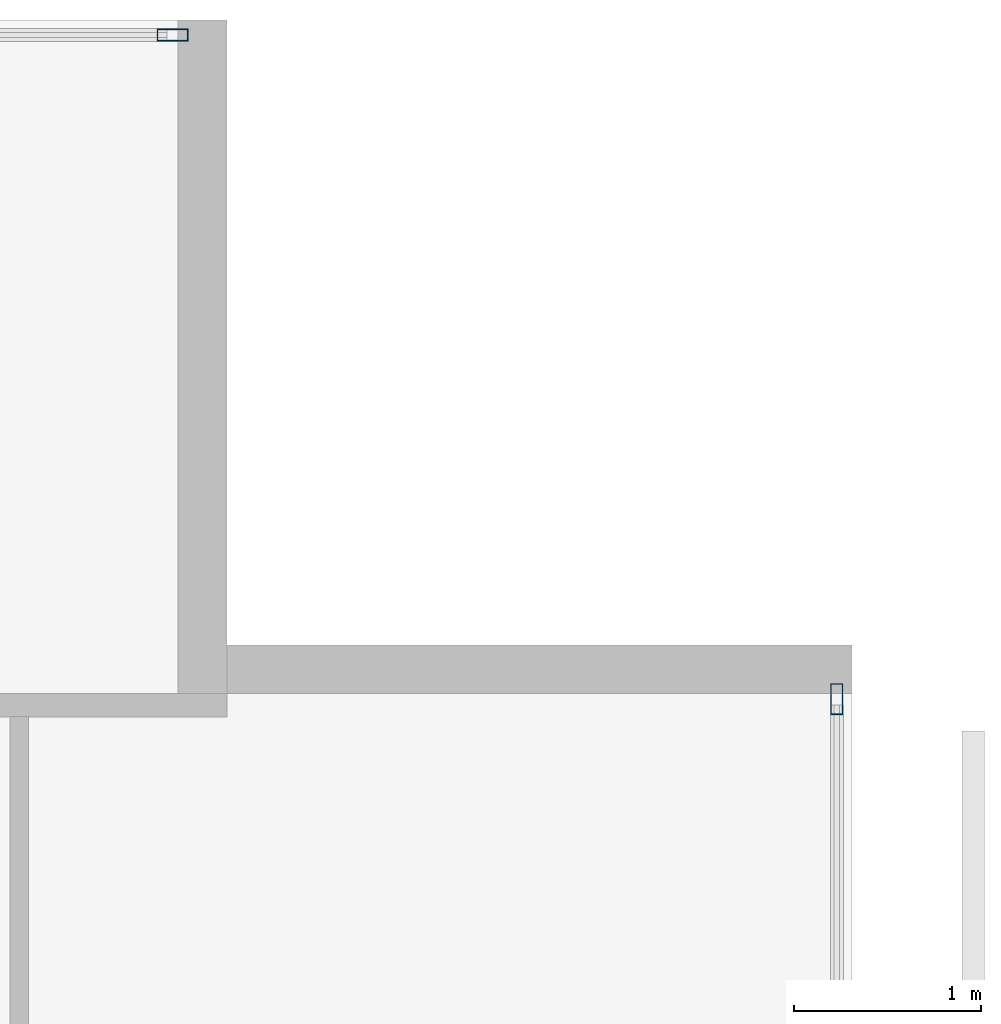
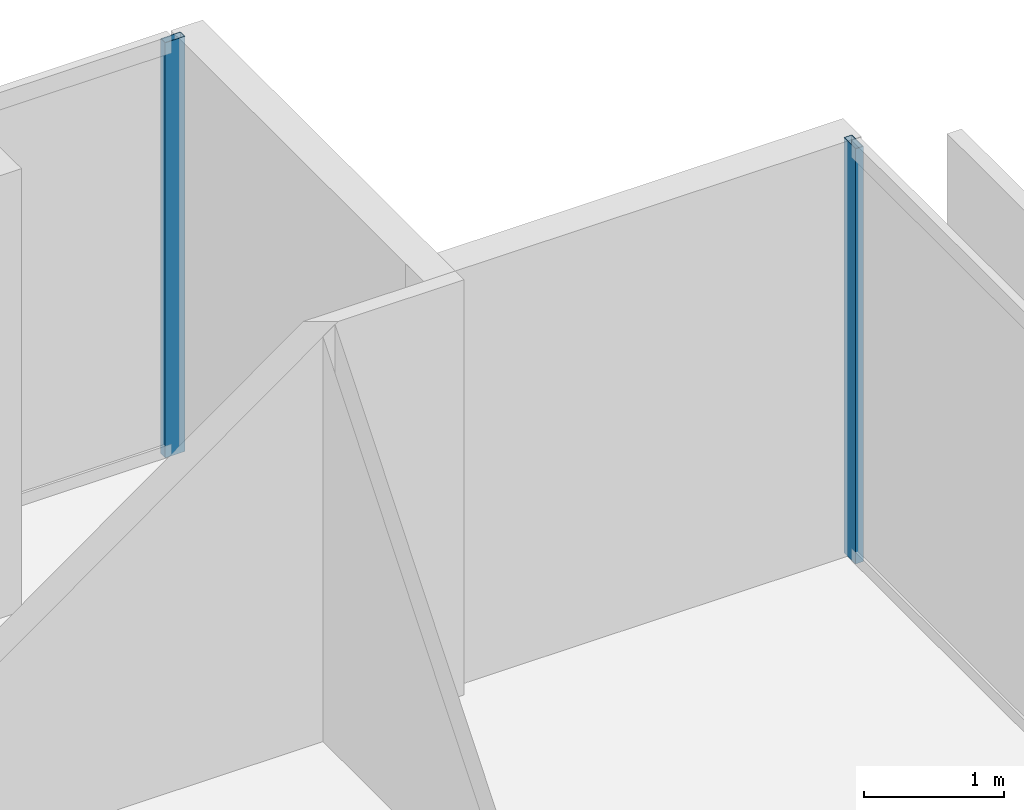
# One storey, part 31 of 40: 2 members, 2 elements without a shape of their own.
"""IFC4 building model written with IfcOpenShell, lengths in metres."""

from ifc_helpers import new_model, si_unit, direction, frame, origin, origin_2d, place, context, subcontext, project, spatial, hollow_rectangle, extrude, material, layer, layer_set, material_profile, profile_set, type_object, element, aggregate, save


model = new_model("IFC4")

# Units and contexts
model_context = context("Model", 3, precision=1e-05, world=origin(), true_north=direction((0.0, 1.0)))
body_context = subcontext(model_context, "Body", "Model", "MODEL_VIEW")
ifc_project = project(units=[si_unit("LENGTHUNIT", "METRE"), si_unit("AREAUNIT", "SQUARE_METRE"), si_unit("VOLUMEUNIT", "CUBIC_METRE"), si_unit("PLANEANGLEUNIT", "RADIAN"), si_unit("MASSUNIT", "GRAM", prefix="KILO")], contexts=[model_context])

# Site, building, storey
site_placement = place(None, origin())
site = spatial("IfcSite", under=ifc_project, at=site_placement, CompositionType="ELEMENT")
building_placement = place(site_placement, origin())
building = spatial("IfcBuilding", under=site, at=building_placement, Name="Maruvema Waterfront Hotel and Observation Tower", CompositionType="ELEMENT")
storey_placement = place(building_placement, frame((0.0, 0.0, 34.64990234375)))
storey = spatial("IfcBuildingStorey", under=building, at=storey_placement, Name="L07", CompositionType="ELEMENT", Elevation=34.64990234375)

# Curtain wall, member
ifc_material_1 = material(Name="Anodised bronze aluminium and solar-control low-E IGU", Category="aluminium")
ifc_layer = layer(ifc_material_1, 0.159912109375, Name="Zone 1 Bronze Inner Thermal Curtain Wall System CW-02")
ifc_layer_set = layer_set([ifc_layer], Name="Anodised bronze aluminium and solar-control low-E IGU")
curtain_wall_type = type_object("IfcCurtainWallType", Name="Zone 1 Bronze Inner Thermal Curtain Wall System CW-02", PredefinedType="USERDEFINED", material=ifc_layer_set)
curtain_wall_1_placement = place(storey_placement, origin())
curtain_wall_1 = element("IfcCurtainWall", 1, at=curtain_wall_1_placement, inside=storey, type_object=curtain_wall_type, Name="L07 Curtain Wall CW-L07-E", ObjectType="UNITISED CURTAIN WALL", PredefinedType="USERDEFINED")
ifc_material_2 = material(Name="Anodised architectural bronze aluminium", Category="aluminium")
ifc_material_profile = material_profile(ifc_material_2, hollow_rectangle(XDim=0.06494140625, YDim=0.1650390625, WallThickness=0.00390625, at=origin_2d()), Name="ALU-M65x165")
ifc_profile_set = profile_set([ifc_material_profile], Name="Anodised architectural bronze aluminium")
member_type = type_object("IfcMemberType", Name="Curtain Wall Primary Mullion ALU-M65x165", PredefinedType="MULLION", material=ifc_profile_set)
member_1_placement = place(storey_placement, frame((64.719970703125, 50.3701171875, 0.0), z_axis=(0.0, 0.0, 1.0), x_axis=(-1.0, 0.0, 0.0)))
member_1 = element("IfcMember", 2, at=member_1_placement, type_object=member_type, Name="CW-02 mullion 7", PredefinedType="MULLION", context=body_context, shape_type="SweptSolid", body=[
    extrude(hollow_rectangle(XDim=0.06494140625, YDim=0.1650390625, WallThickness=0.00390625, at=origin_2d()), origin(), (0.0, 0.0, 1.0), 3.610107421875),
])
aggregate(curtain_wall_1, [member_1])

curtain_wall_2_placement = place(storey_placement, origin())
curtain_wall_2 = element("IfcCurtainWall", 3, at=curtain_wall_2_placement, inside=storey, type_object=curtain_wall_type, Name="L07 Curtain Wall CW-L07-NE", ObjectType="UNITISED CURTAIN WALL", PredefinedType="USERDEFINED")
member_2_placement = place(storey_placement, frame((61.169921875, 53.919921875, 0.0), z_axis=(0.0, 0.0, 1.0), x_axis=(0.0, -1.0, 0.0)))
member_2 = element("IfcMember", 4, at=member_2_placement, type_object=member_type, Name="CW-02 mullion 1", PredefinedType="MULLION", context=body_context, shape_type="SweptSolid", body=[
    extrude(hollow_rectangle(XDim=0.06494140625, YDim=0.1650390625, WallThickness=0.00390625, at=origin_2d()), origin(), (0.0, 0.0, 1.0), 3.610107421875),
])
aggregate(curtain_wall_2, [member_2])

save(model, "model.ifc")
